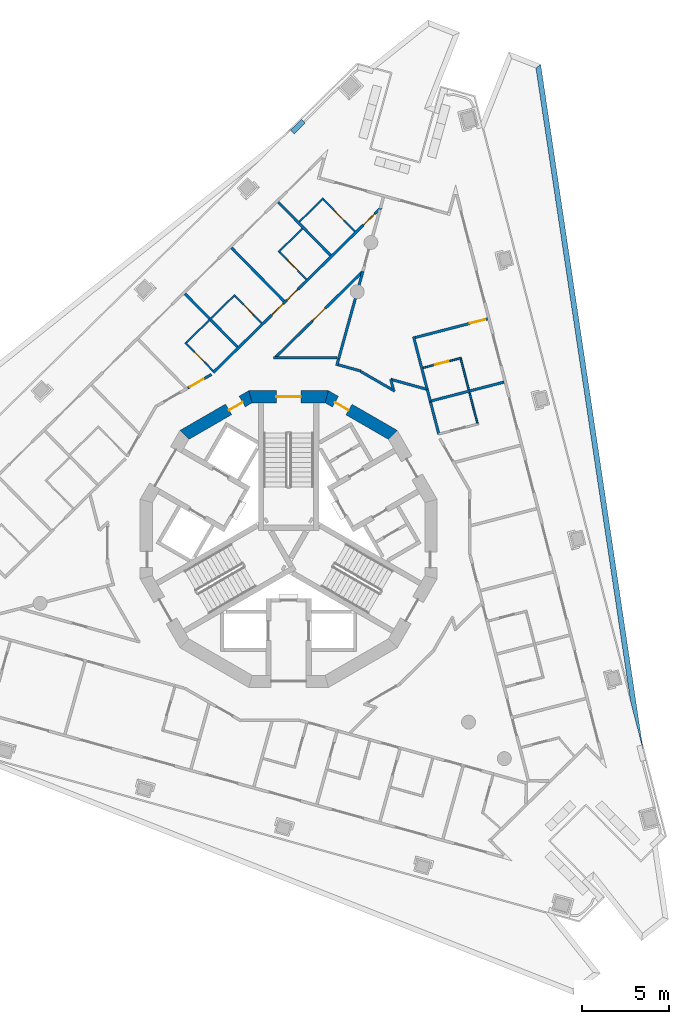
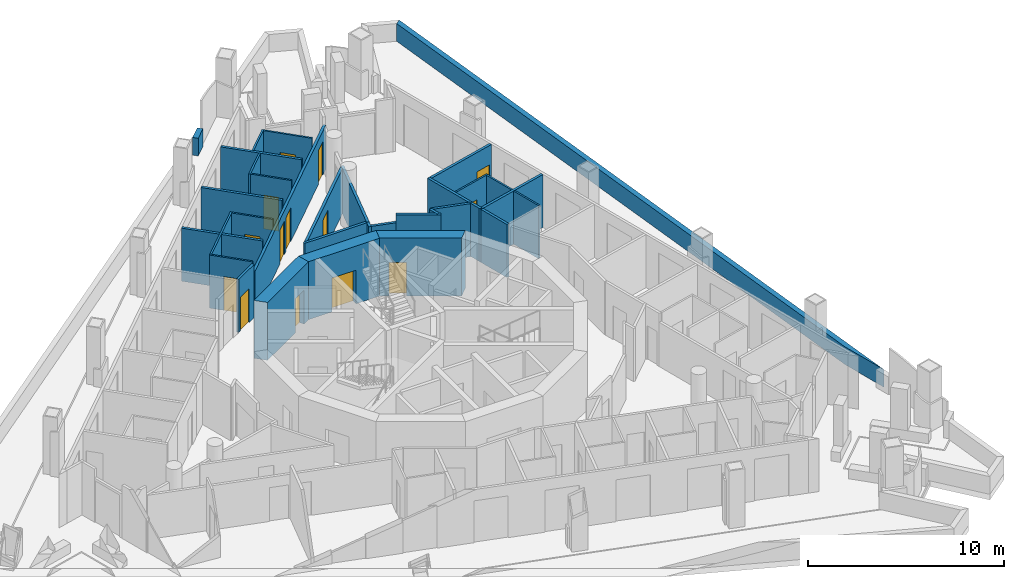
# One storey, part 8 of 14: 33 walls, 14 doors, 14 openings.
"""IFC4 building model written with IfcOpenShell, lengths in metres."""

from ifc_helpers import new_model, si_unit, direction, frame, frame_2d, origin, place, context, subcontext, project, spatial, polyline, rectangle, outline, extrude, material, layer, layer_set, type_object, element, fill, save


model = new_model("IFC4")

# Units and contexts
model_context = context("Model", 3, precision=1e-05, world=origin(), true_north=direction((0.0, 1.0)))
body_context = subcontext(model_context, "Body", "Model", "MODEL_VIEW")
ifc_project = project(units=[si_unit("LENGTHUNIT", "METRE"), si_unit("AREAUNIT", "SQUARE_METRE"), si_unit("VOLUMEUNIT", "CUBIC_METRE"), si_unit("PLANEANGLEUNIT", "RADIAN"), si_unit("MASSUNIT", "GRAM", prefix="KILO")], contexts=[model_context])

# Site, building, storey
site_placement = place(None, origin())
site = spatial("IfcSite", under=ifc_project, at=site_placement, CompositionType="ELEMENT")
building_placement = place(site_placement, origin())
building = spatial("IfcBuilding", under=site, at=building_placement, Name="Trine Commons Tower", CompositionType="ELEMENT")
storey_placement = place(building_placement, frame((0.0, 0.0, 234.89990234375)))
storey = spatial("IfcBuildingStorey", under=building, at=storey_placement, Name="L61", CompositionType="ELEMENT", Elevation=234.89990234375)

# Wall, opening, door
ifc_material_1 = material(Name="Concrete C50/60", Category="concrete")
ifc_layer_1 = layer(ifc_material_1, 0.699951171875)
ifc_layer_set_1 = layer_set([ifc_layer_1], Name="Concrete C50/60")
wall_type_1 = type_object("IfcWallType", Name="RC shear wall 700 mm, C50/60", PredefinedType="SHEAR", material=ifc_layer_set_1)
wall_1_placement = place(storey_placement, frame((86.047607421875, 68.41943359375, 0.0), z_axis=(0.0, 0.0, 1.0), x_axis=(-0.866034756103, 0.499983800959, 0.0)))
wall_1 = element("IfcWall", 1, at=wall_1_placement, inside=storey, type_object=wall_type_1, Name="Core wall CWG-03 L61", PredefinedType="SHEAR", context=body_context, shape_type="SweptSolid", body=[
    extrude(outline(polyline([(0.0, -0.35009765625), (4.55517578125, -0.35009765625), (4.36767578125, 0.35009765625), (0.1875, 0.35009765625), (0.0, -0.35009765625)])), origin(), (0.0, 0.0, 1.0), 3.60009765625),
])
opening_1_placement = place(wall_1_placement, frame((2.990966796875, 0.0, 0.0)))
opening_1 = element("IfcOpeningElement", 2, at=opening_1_placement, cuts=wall_1, Name="Opening K15.14", PredefinedType="OPENING", context=body_context, shape_type="SweptSolid", body=[
    extrude(rectangle(XDim=0.89990234375, YDim=2.10009765625, at=frame_2d((0.449951171875, 1.050048828125))), frame((0.0, 0.35986328125, 0.0), z_axis=(0.0, -1.0, 0.0), x_axis=(1.0, 0.0, 0.0)), (0.0, 0.0, 1.0), 0.719970703125),
])
ifc_material_2 = material(Name="Steel door leaf, fire-rated", Category="steel")
door_type_1 = type_object("IfcDoorType", Name="Core room door, single leaf 900 x 2100, FD30S", OperationType="SINGLE_SWING_LEFT", PredefinedType="DOOR", material=ifc_material_2)
door_1_placement = place(opening_1_placement, origin())
door_1 = element("IfcDoor", 3, at=door_1_placement, inside=storey, type_object=door_type_1, Name="Door to Core WC L61", OperationType="SINGLE_SWING_RIGHT", OverallHeight=2.10009765625, OverallWidth=0.89990234375, PredefinedType="DOOR", context=body_context, shape_type="SweptSolid", body=[
    extrude(rectangle(XDim=0.89990234375, YDim=2.10009765625, at=frame_2d((0.449951171875, 1.050048828125))), frame((0.0, 0.0751953125, 0.0), z_axis=(0.0, -1.0, 0.0), x_axis=(1.0, 0.0, 0.0)), (0.0, 0.0, 1.0), 0.050048828125),
])
fill(opening_1, door_1)

wall_2_placement = place(storey_placement, frame((82.277587890625, 70.650146484375, 0.0), z_axis=(0.0, 0.0, 1.0), x_axis=(-1.0, 0.0, 0.0)))
wall_2 = element("IfcWall", 4, at=wall_2_placement, inside=storey, type_object=wall_type_1, Name="Core wall CWG-04 L61", PredefinedType="SHEAR", context=body_context, shape_type="SweptSolid", body=[
    extrude(outline(polyline([(0.0, -0.35009765625), (4.55517578125, -0.35009765625), (4.36767578125, 0.35009765625), (0.1875, 0.35009765625), (0.0, -0.35009765625)])), origin(), (0.0, 0.0, 1.0), 3.60009765625),
])
opening_2_placement = place(wall_2_placement, frame((1.57763671875, 0.0, 0.0)))
opening_2 = element("IfcOpeningElement", 5, at=opening_2_placement, cuts=wall_2, Name="Opening K15.01", PredefinedType="OPENING", context=body_context, shape_type="SweptSolid", body=[
    extrude(rectangle(XDim=1.39990234375, YDim=2.10009765625, at=frame_2d((0.699951171875, 1.050048828125))), frame((0.0, 0.35986328125, 0.0), z_axis=(0.0, -1.0, 0.0), x_axis=(1.0, 0.0, 0.0)), (0.0, 0.0, 1.0), 0.719970703125),
])
ifc_material_3 = material(Name="Steel door leaves, fire-rated", Category="steel")
door_type_2 = type_object("IfcDoorType", Name="Stair door, double leaf 1400 x 2100, FD90", OperationType="DOUBLE_DOOR_SINGLE_SWING", PredefinedType="DOOR", material=ifc_material_3)
door_2_placement = place(opening_2_placement, origin())
door_2 = element("IfcDoor", 6, at=door_2_placement, inside=storey, type_object=door_type_2, Name="Stair door to Exit stair ST1C L61", OperationType="DOUBLE_DOOR_SINGLE_SWING", OverallHeight=2.10009765625, OverallWidth=1.39990234375, PredefinedType="DOOR", context=body_context, shape_type="SweptSolid", body=[
    extrude(rectangle(XDim=1.39990234375, YDim=2.10009765625, at=frame_2d((0.699951171875, 1.050048828125))), frame((0.0, 0.02490234375, 0.0), z_axis=(0.0, -1.0, 0.0), x_axis=(1.0, 0.0, 0.0)), (0.0, 0.0, 1.0), 0.050048828125),
])
fill(opening_2, door_2)

wall_3_placement = place(storey_placement, frame((77.8974609375, 70.697021484375, 0.0), z_axis=(0.0, 0.0, 1.0), x_axis=(-0.866034756103, -0.499983800959, 0.0)))
wall_3 = element("IfcWall", 7, at=wall_3_placement, inside=storey, type_object=wall_type_1, Name="Core wall CWG-05 L61", PredefinedType="SHEAR", context=body_context, shape_type="SweptSolid", body=[
    extrude(outline(polyline([(0.0, -0.35009765625), (4.55517578125, -0.35009765625), (4.36767578125, 0.35009765625), (0.1875, 0.35009765625), (0.0, -0.35009765625)])), origin(), (0.0, 0.0, 1.0), 3.60009765625),
])
opening_3_placement = place(wall_3_placement, frame((0.641845703125, 0.0, 0.0)))
opening_3 = element("IfcOpeningElement", 8, at=opening_3_placement, cuts=wall_3, Name="Opening K15.15", PredefinedType="OPENING", context=body_context, shape_type="SweptSolid", body=[
    extrude(rectangle(XDim=0.89990234375, YDim=2.10009765625, at=frame_2d((0.449951171875, 1.050048828125))), frame((0.0, 0.35986328125, 0.0), z_axis=(0.0, -1.0, 0.0), x_axis=(1.0, 0.0, 0.0)), (0.0, 0.0, 1.0), 0.719970703125),
])
door_3_placement = place(opening_3_placement, origin())
door_3 = element("IfcDoor", 9, at=door_3_placement, inside=storey, type_object=door_type_1, Name="Door to Accessible WC L61", OperationType="SINGLE_SWING_LEFT", OverallHeight=2.10009765625, OverallWidth=0.89990234375, PredefinedType="DOOR", context=body_context, shape_type="SweptSolid", body=[
    extrude(rectangle(XDim=0.89990234375, YDim=2.10009765625, at=frame_2d((0.449951171875, 1.050048828125))), frame((0.0, 0.0751953125, 0.0), z_axis=(0.0, -1.0, 0.0), x_axis=(1.0, 0.0, 0.0)), (0.0, 0.0, 1.0), 0.050048828125),
])
fill(opening_3, door_3)

# Walls
ifc_material_4 = material(Name="Limestone, honed", Category="masonry")
ifc_layer_2 = layer(ifc_material_4, 0.300048828125)
ifc_layer_set_2 = layer_set([ifc_layer_2], Name="Limestone, honed")
wall_type_2 = type_object("IfcWallType", Name="Stone parapet 300", PredefinedType="PARAPET", material=ifc_layer_set_2)
wall_4_placement = place(storey_placement, origin())
element("IfcWall", 10, at=wall_4_placement, inside=storey, type_object=wall_type_2, Name="Sliver roof parapet extension L60 2.X1", PredefinedType="PARAPET", context=body_context, shape_type="SweptSolid", body=[
    extrude(outline(polyline([(80.09912109375, 85.909912109375), (80.309326171875, 85.69580078125), (80.951171875, 86.32666015625), (80.740966796875, 86.540771484375), (80.198486328125, 86.0078125), (80.09912109375, 85.909912109375)])), origin(), (0.0, 0.0, 1.0), 1.10009765625),
])
wall_5_placement = place(storey_placement, origin())
element("IfcWall", 11, at=wall_5_placement, inside=storey, type_object=wall_type_2, Name="Sliver roof parapet L60 5.1", PredefinedType="PARAPET", context=body_context, shape_type="SweptSolid", body=[
    extrude(outline(polyline([(100.299072265625, 50.4189453125), (94.430908203125, 89.683349609375), (94.159912109375, 89.4677734375), (99.58056640625, 53.197509765625), (100.299072265625, 50.4189453125)])), origin(), (0.0, 0.0, 1.0), 1.10009765625),
])
ifc_material_5 = material(Name="Gypsum plasterboard on steel stud", Category="steel")
ifc_layer_3 = layer(ifc_material_5, 0.14990234375)
ifc_layer_set_3 = layer_set([ifc_layer_3], Name="Gypsum plasterboard on steel stud")
wall_type_3 = type_object("IfcWallType", Name="Unit and corridor wall 150 mm, EI 60", PredefinedType="PARTITIONING", material=ifc_layer_set_3)
wall_6_placement = place(storey_placement, frame((74.06005859375, 76.554443359375, 0.0), z_axis=(0.0, 0.0, 1.0), x_axis=(0.70095501421, -0.713205487958, 0.0)))
element("IfcWall", 12, at=wall_6_placement, inside=storey, type_object=wall_type_3, Name="Partition 036", PredefinedType="PARTITIONING", context=body_context, shape_type="SweptSolid", body=[
    extrude(rectangle(XDim=4.28466796875, YDim=0.14990234375, at=frame_2d((2.142333984375, 0.0))), origin(), (0.0, 0.0, 1.0), 3.300048828125),
])

# Wall, opening, door
wall_7_placement = place(storey_placement, frame((74.22412109375, 71.1455078125, 0.0), z_axis=(0.0, 0.0, 1.0), x_axis=(0.866052944554, 0.499952294954, 0.0)))
wall_7 = element("IfcWall", 13, at=wall_7_placement, inside=storey, type_object=wall_type_3, Name="Partition 040", PredefinedType="PARTITIONING", context=body_context, shape_type="SweptSolid", body=[
    extrude(rectangle(XDim=1.563232421875, YDim=0.14990234375, at=frame_2d((0.78173828125, 0.0))), origin(), (0.0, 0.0, 1.0), 3.300048828125),
])
opening_4_placement = place(wall_7_placement, frame((0.14990234375, 0.0, 0.0)))
opening_4 = element("IfcOpeningElement", 14, at=opening_4_placement, cuts=wall_7, Name="Opening D-7A08", PredefinedType="OPENING", context=body_context, shape_type="SweptSolid", body=[
    extrude(rectangle(XDim=0.89990234375, YDim=2.10009765625, at=frame_2d((0.449951171875, 1.050048828125))), frame((0.0, 0.0849609375, 0.0), z_axis=(0.0, -1.0, 0.0), x_axis=(1.0, 0.0, 0.0)), (0.0, 0.0, 1.0), 0.169921875),
])
ifc_material_6 = material(Name="Timber fire door set", Category="wood")
door_type_3 = type_object("IfcDoorType", Name="Bedroom door 900 x 2100, FD30S", OperationType="NOTDEFINED", PredefinedType="DOOR", material=ifc_material_6)
door_4_placement = place(opening_4_placement, origin())
door_4 = element("IfcDoor", 15, at=door_4_placement, inside=storey, type_object=door_type_3, Name="Door D-7A08", OperationType="SINGLE_SWING_LEFT", OverallHeight=2.10009765625, OverallWidth=0.89990234375, PredefinedType="DOOR", context=body_context, shape_type="SweptSolid", body=[
    extrude(rectangle(XDim=0.89990234375, YDim=2.10009765625, at=frame_2d((0.449951171875, 1.050048828125))), frame((0.0, 0.02490234375, 0.0), z_axis=(0.0, -1.0, 0.0), x_axis=(1.0, 0.0, 0.0)), (0.0, 0.0, 1.0), 0.050048828125),
])
fill(opening_4, door_4)

# Wall, openings, doors
wall_8_placement = place(storey_placement, frame((75.687255859375, 72.0400390625, 0.0), z_axis=(0.0, 0.0, 1.0), x_axis=(0.713216712947, 0.700943592861, 0.0)))
wall_8 = element("IfcWall", 16, at=wall_8_placement, inside=storey, type_object=wall_type_3, Name="Partition 043", PredefinedType="PARTITIONING", context=body_context, shape_type="SweptSolid", body=[
    extrude(rectangle(XDim=13.487060546875, YDim=0.14990234375, at=frame_2d((6.74365234375, 0.0))), origin(), (0.0, 0.0, 1.0), 2.75),
])
opening_5_placement = place(wall_8_placement, frame((4.69677734375, 0.0, 0.0)))
opening_5 = element("IfcOpeningElement", 17, at=opening_5_placement, cuts=wall_8, Name="Opening D-7A09", PredefinedType="OPENING", context=body_context, shape_type="SweptSolid", body=[
    extrude(rectangle(XDim=0.89990234375, YDim=2.10009765625, at=frame_2d((0.449951171875, 1.050048828125))), frame((0.0, 0.0849609375, 0.0), z_axis=(0.0, -1.0, 0.0), x_axis=(1.0, 0.0, 0.0)), (0.0, 0.0, 1.0), 0.169921875),
])
opening_6_placement = place(wall_8_placement, frame((5.896728515625, 0.0, 0.0)))
opening_6 = element("IfcOpeningElement", 18, at=opening_6_placement, cuts=wall_8, Name="Opening D-7A10", PredefinedType="OPENING", context=body_context, shape_type="SweptSolid", body=[
    extrude(rectangle(XDim=0.89990234375, YDim=2.10009765625, at=frame_2d((0.449951171875, 1.050048828125))), frame((0.0, 0.0849609375, 0.0), z_axis=(0.0, -1.0, 0.0), x_axis=(1.0, 0.0, 0.0)), (0.0, 0.0, 1.0), 0.169921875),
])
opening_7_placement = place(wall_8_placement, frame((12.052734375, 0.0, 0.0)))
opening_7 = element("IfcOpeningElement", 19, at=opening_7_placement, cuts=wall_8, Name="Opening D-7A11", PredefinedType="OPENING", context=body_context, shape_type="SweptSolid", body=[
    extrude(rectangle(XDim=0.89990234375, YDim=2.10009765625, at=frame_2d((0.449951171875, 1.050048828125))), frame((0.0, 0.0849609375, 0.0), z_axis=(0.0, -1.0, 0.0), x_axis=(1.0, 0.0, 0.0)), (0.0, 0.0, 1.0), 0.169921875),
])
door_5_placement = place(opening_5_placement, origin())
door_5 = element("IfcDoor", 20, at=door_5_placement, inside=storey, type_object=door_type_3, Name="Door D-7A09", OperationType="SINGLE_SWING_LEFT", OverallHeight=2.10009765625, OverallWidth=0.89990234375, PredefinedType="DOOR", context=body_context, shape_type="SweptSolid", body=[
    extrude(rectangle(XDim=0.89990234375, YDim=2.10009765625, at=frame_2d((0.449951171875, 1.050048828125))), frame((0.0, 0.02490234375, 0.0), z_axis=(0.0, -1.0, 0.0), x_axis=(1.0, 0.0, 0.0)), (0.0, 0.0, 1.0), 0.050048828125),
])
fill(opening_5, door_5)
door_6_placement = place(opening_6_placement, origin())
door_6 = element("IfcDoor", 21, at=door_6_placement, inside=storey, type_object=door_type_3, Name="Door D-7A10", OperationType="SINGLE_SWING_LEFT", OverallHeight=2.10009765625, OverallWidth=0.89990234375, PredefinedType="DOOR", context=body_context, shape_type="SweptSolid", body=[
    extrude(rectangle(XDim=0.89990234375, YDim=2.10009765625, at=frame_2d((0.449951171875, 1.050048828125))), frame((0.0, 0.02490234375, 0.0), z_axis=(0.0, -1.0, 0.0), x_axis=(1.0, 0.0, 0.0)), (0.0, 0.0, 1.0), 0.050048828125),
])
fill(opening_6, door_6)
door_7_placement = place(opening_7_placement, origin())
door_7 = element("IfcDoor", 22, at=door_7_placement, inside=storey, type_object=door_type_3, Name="Door D-7A11", OperationType="SINGLE_SWING_RIGHT", OverallHeight=2.10009765625, OverallWidth=0.89990234375, PredefinedType="DOOR", context=body_context, shape_type="SweptSolid", body=[
    extrude(rectangle(XDim=0.89990234375, YDim=2.10009765625, at=frame_2d((0.449951171875, 1.050048828125))), frame((0.0, 0.02490234375, 0.0), z_axis=(0.0, -1.0, 0.0), x_axis=(1.0, 0.0, 0.0)), (0.0, 0.0, 1.0), 0.050048828125),
])
fill(opening_7, door_7)

# Walls
wall_9_placement = place(storey_placement, frame((76.72998046875, 79.177490234375, 0.0), z_axis=(0.0, 0.0, 1.0), x_axis=(0.70095501421, -0.713205487958, 0.0)))
element("IfcWall", 23, at=wall_9_placement, inside=storey, type_object=wall_type_3, Name="Partition 044", PredefinedType="PARTITIONING", context=body_context, shape_type="SweptSolid", body=[
    extrude(rectangle(XDim=4.28466796875, YDim=0.14990234375, at=frame_2d((2.142333984375, 0.0))), origin(), (0.0, 0.0, 1.0), 3.300048828125),
])
wall_10_placement = place(storey_placement, frame((79.133056640625, 72.875, 0.0), z_axis=(0.0, 0.0, 1.0), x_axis=(1.0, 0.0, 0.0)))
element("IfcWall", 24, at=wall_10_placement, inside=storey, type_object=wall_type_3, Name="Partition 049", PredefinedType="PARTITIONING", context=body_context, shape_type="SweptSolid", body=[
    extrude(rectangle(XDim=3.64697265625, YDim=0.14990234375, at=frame_2d((1.823486328125, 0.0))), origin(), (0.0, 0.0, 1.0), 2.800048828125),
])

# Wall, opening, door
wall_11_placement = place(storey_placement, frame((79.265380859375, 72.927490234375, 0.0), z_axis=(0.0, 0.0, 1.0), x_axis=(0.713171352484, 0.700989744572, 0.0)))
wall_11 = element("IfcWall", 25, at=wall_11_placement, inside=storey, type_object=wall_type_3, Name="Partition 050", PredefinedType="PARTITIONING", context=body_context, shape_type="SweptSolid", body=[
    extrude(rectangle(XDim=6.914306640625, YDim=0.14990234375, at=frame_2d((3.45703125, 0.0))), origin(), (0.0, 0.0, 1.0), 2.800048828125),
])
opening_8_placement = place(wall_11_placement, frame((2.95703125, 0.0, 0.0)))
opening_8 = element("IfcOpeningElement", 26, at=opening_8_placement, cuts=wall_11, Name="Opening D-7A27", PredefinedType="OPENING", context=body_context, shape_type="SweptSolid", body=[
    extrude(rectangle(XDim=1.0, YDim=2.10009765625, at=frame_2d((0.5, 1.050048828125))), frame((0.0, 0.0849609375, 0.0), z_axis=(0.0, -1.0, 0.0), x_axis=(1.0, 0.0, 0.0)), (0.0, 0.0, 1.0), 0.169921875),
])
ifc_material_7 = material(Name="Painted timber", Category="wood")
door_type_4 = type_object("IfcDoorType", Name="Toilet door 1000 x 2100, NOT RATED", OperationType="NOTDEFINED", PredefinedType="DOOR", material=ifc_material_7)
door_8_placement = place(opening_8_placement, frame((1.0, 0.0, 0.0), z_axis=(0.0, 0.0, 1.0), x_axis=(-1.0, 0.0, 0.0)))
door_8 = element("IfcDoor", 27, at=door_8_placement, inside=storey, type_object=door_type_4, Name="Door D-7A27", OperationType="SINGLE_SWING_RIGHT", OverallHeight=2.10009765625, OverallWidth=1.0, PredefinedType="DOOR", context=body_context, shape_type="SweptSolid", body=[
    extrude(rectangle(XDim=1.0, YDim=2.10009765625, at=frame_2d((0.5, 1.050048828125))), frame((0.0, 0.02490234375, 0.0), z_axis=(0.0, -1.0, 0.0), x_axis=(1.0, 0.0, 0.0)), (0.0, 0.0, 1.0), 0.050048828125),
])
fill(opening_8, door_8)

# Walls
wall_12_placement = place(storey_placement, frame((79.39892578125, 81.801513671875, 0.0), z_axis=(0.0, 0.0, 1.0), x_axis=(0.70095501421, -0.713205487958, 0.0)))
element("IfcWall", 28, at=wall_12_placement, inside=storey, type_object=wall_type_3, Name="Partition 051", PredefinedType="PARTITIONING", context=body_context, shape_type="SweptSolid", body=[
    extrude(rectangle(XDim=4.28466796875, YDim=0.14990234375, at=frame_2d((2.142333984375, 0.0))), origin(), (0.0, 0.0, 1.0), 3.300048828125),
])
wall_13_placement = place(storey_placement, frame((82.7529296875, 72.42578125, 0.0), z_axis=(0.0, 0.0, 1.0), x_axis=(0.266887464326, 0.96372770085, 0.0)))
element("IfcWall", 29, at=wall_13_placement, inside=storey, type_object=wall_type_3, Name="Partition 061", PredefinedType="PARTITIONING", context=body_context, shape_type="SweptSolid", body=[
    extrude(rectangle(XDim=0.416259765625, YDim=0.14990234375, at=frame_2d((0.2080078125, 0.0))), origin(), (0.0, 0.0, 1.0), 2.800048828125),
])
wall_14_placement = place(storey_placement, frame((82.84521484375, 72.477783203125, 0.0), z_axis=(0.0, 0.0, 1.0), x_axis=(0.963623826389, -0.267262270467, 0.0)))
element("IfcWall", 30, at=wall_14_placement, inside=storey, type_object=wall_type_3, Name="Partition 062", PredefinedType="PARTITIONING", context=body_context, shape_type="SweptSolid", body=[
    extrude(rectangle(XDim=1.320068359375, YDim=0.14990234375, at=frame_2d((0.66015625, 0.0))), origin(), (0.0, 0.0, 1.0), 2.800048828125),
])
wall_15_placement = place(storey_placement, frame((82.863037109375, 72.822998046875, 0.0), z_axis=(0.0, 0.0, 1.0), x_axis=(0.267297315726, 0.963614105857, 0.0)))
element("IfcWall", 31, at=wall_15_placement, inside=storey, type_object=wall_type_3, Name="Partition 064", PredefinedType="PARTITIONING", context=body_context, shape_type="SweptSolid", body=[
    extrude(rectangle(XDim=5.196044921875, YDim=0.14990234375, at=frame_2d((2.59814453125, 0.0))), origin(), (0.0, 0.0, 1.0), 2.800048828125),
])
wall_16_placement = place(storey_placement, frame((84.10986328125, 72.107421875, 0.0), z_axis=(0.0, 0.0, 1.0), x_axis=(0.865965412825, -0.500103892997, 0.0)))
element("IfcWall", 32, at=wall_16_placement, inside=storey, type_object=wall_type_3, Name="Partition 066", PredefinedType="PARTITIONING", context=body_context, shape_type="SweptSolid", body=[
    extrude(rectangle(XDim=2.271484375, YDim=0.14990234375, at=frame_2d((1.1357421875, 0.0))), origin(), (0.0, 0.0, 1.0), 3.300048828125),
])
wall_17_placement = place(storey_placement, frame((85.847900390625, 71.64208984375, 0.0), z_axis=(0.0, 0.0, 1.0), x_axis=(0.250859734684, -0.968023446779, 0.0)))
element("IfcWall", 33, at=wall_17_placement, inside=storey, type_object=wall_type_3, Name="Partition 076", PredefinedType="PARTITIONING", context=body_context, shape_type="SweptSolid", body=[
    extrude(rectangle(XDim=0.5791015625, YDim=0.14990234375, at=frame_2d((0.28955078125, 0.0))), origin(), (0.0, 0.0, 1.0), 3.300048828125),
])
wall_18_placement = place(storey_placement, frame((85.85205078125, 71.64599609375, 0.0), z_axis=(0.0, 0.0, 1.0), x_axis=(0.963638385721, -0.267209770713, 0.0)))
element("IfcWall", 34, at=wall_18_placement, inside=storey, type_object=wall_type_3, Name="Partition 077", PredefinedType="PARTITIONING", context=body_context, shape_type="SweptSolid", body=[
    extrude(rectangle(XDim=2.088623046875, YDim=0.14990234375, at=frame_2d((1.04443359375, 0.0))), origin(), (0.0, 0.0, 1.0), 3.300048828125),
])
wall_19_placement = place(storey_placement, frame((87.1533203125, 74.092529296875, 0.0), z_axis=(0.0, 0.0, 1.0), x_axis=(0.250373987534, -0.968149196336, 0.0)))
element("IfcWall", 35, at=wall_19_placement, inside=storey, type_object=wall_type_3, Name="Partition 080", PredefinedType="PARTITIONING", context=body_context, shape_type="SweptSolid", body=[
    extrude(rectangle(XDim=3.126220703125, YDim=0.14990234375, at=frame_2d((1.56298828125, 0.0))), origin(), (0.0, 0.0, 1.0), 3.300048828125),
])

# Wall, opening, door
wall_20_placement = place(storey_placement, frame((87.24462890625, 74.038818359375, 0.0), z_axis=(0.0, 0.0, 1.0), x_axis=(0.968129527106, 0.250450032434, 0.0)))
wall_20 = element("IfcWall", 36, at=wall_20_placement, inside=storey, type_object=wall_type_3, Name="Partition 081", PredefinedType="PARTITIONING", context=body_context, shape_type="SweptSolid", body=[
    extrude(rectangle(XDim=4.28515625, YDim=0.14990234375, at=frame_2d((2.142578125, 0.0))), origin(), (0.0, 0.0, 1.0), 3.300048828125),
])
opening_9_placement = place(wall_20_placement, frame((3.235107421875, 0.0, 0.0)))
opening_9 = element("IfcOpeningElement", 37, at=opening_9_placement, cuts=wall_20, Name="Opening D-7A12", PredefinedType="OPENING", context=body_context, shape_type="SweptSolid", body=[
    extrude(rectangle(XDim=0.89990234375, YDim=2.10009765625, at=frame_2d((0.449951171875, 1.050048828125))), frame((0.0, 0.0849609375, 0.0), z_axis=(0.0, -1.0, 0.0), x_axis=(1.0, 0.0, 0.0)), (0.0, 0.0, 1.0), 0.169921875),
])
door_9_placement = place(opening_9_placement, frame((0.89990234375, 0.0, 0.0), z_axis=(0.0, 0.0, 1.0), x_axis=(-1.0, 0.0, 0.0)))
door_9 = element("IfcDoor", 38, at=door_9_placement, inside=storey, type_object=door_type_3, Name="Door D-7A12", OperationType="SINGLE_SWING_LEFT", OverallHeight=2.10009765625, OverallWidth=0.89990234375, PredefinedType="DOOR", context=body_context, shape_type="SweptSolid", body=[
    extrude(rectangle(XDim=0.89990234375, YDim=2.10009765625, at=frame_2d((0.449951171875, 1.050048828125))), frame((0.0, 0.02490234375, 0.0), z_axis=(0.0, -1.0, 0.0), x_axis=(1.0, 0.0, 0.0)), (0.0, 0.0, 1.0), 0.050048828125),
])
fill(opening_9, door_9)

# Walls
wall_21_placement = place(storey_placement, frame((87.93798828125, 71.06689453125, 0.0), z_axis=(0.0, 0.0, 1.0), x_axis=(0.250122032582, -0.968214319672, 0.0)))
element("IfcWall", 39, at=wall_21_placement, inside=storey, type_object=wall_type_3, Name="Partition 084", PredefinedType="PARTITIONING", context=body_context, shape_type="SweptSolid", body=[
    extrude(rectangle(XDim=0.696044921875, YDim=0.14990234375, at=frame_2d((0.34814453125, 0.0))), origin(), (0.0, 0.0, 1.0), 3.300048828125),
])
wall_22_placement = place(storey_placement, frame((88.036376953125, 70.377197265625, 0.0), z_axis=(0.0, 0.0, 1.0), x_axis=(0.968128504483, 0.25045398541, 0.0)))
element("IfcWall", 40, at=wall_22_placement, inside=storey, type_object=wall_type_3, Name="Partition 085", PredefinedType="PARTITIONING", context=body_context, shape_type="SweptSolid", body=[
    extrude(rectangle(XDim=4.435302734375, YDim=0.14990234375, at=frame_2d((2.2177734375, 0.0))), origin(), (0.0, 0.0, 1.0), 3.300048828125),
])
wall_23_placement = place(storey_placement, frame((88.12890625, 70.328369140625, 0.0), z_axis=(0.0, 0.0, 1.0), x_axis=(0.250183804331, -0.968198359868, 0.0)))
element("IfcWall", 41, at=wall_23_placement, inside=storey, type_object=wall_type_3, Name="Partition 086", PredefinedType="PARTITIONING", context=body_context, shape_type="SweptSolid", body=[
    extrude(rectangle(XDim=1.88330078125, YDim=0.14990234375, at=frame_2d((0.941650390625, 0.0))), origin(), (0.0, 0.0, 1.0), 3.300048828125),
])

# Wall, opening, door
ifc_layer_4 = layer(ifc_material_5, 0.10009765625)
ifc_layer_set_4 = layer_set([ifc_layer_4], Name="Gypsum plasterboard on steel stud")
wall_type_4 = type_object("IfcWallType", Name="Unit partition 100 mm, no rating", PredefinedType="PARTITIONING", material=ifc_layer_set_4)
wall_24_placement = place(storey_placement, frame((74.077880859375, 73.753662109375, 0.0), z_axis=(0.0, 0.0, 1.0), x_axis=(0.701016248593, -0.713145300207, 0.0)))
wall_24 = element("IfcWall", 42, at=wall_24_placement, inside=storey, type_object=wall_type_4, Name="Partition 038", PredefinedType="PARTITIONING", context=body_context, shape_type="SweptSolid", body=[
    extrude(rectangle(XDim=2.2744140625, YDim=0.10009765625, at=frame_2d((1.13720703125, 0.0))), origin(), (0.0, 0.0, 1.0), 3.300048828125),
])
opening_10_placement = place(wall_24_placement, frame((0.76220703125, 0.0, 0.0)))
opening_10 = element("IfcOpeningElement", 43, at=opening_10_placement, cuts=wall_24, Name="Opening D-7A31", PredefinedType="OPENING", context=body_context, shape_type="SweptSolid", body=[
    extrude(rectangle(XDim=0.800048828125, YDim=2.10009765625, at=frame_2d((0.39990234375, 1.050048828125))), frame((0.0, 0.06005859375, 0.0), z_axis=(0.0, -1.0, 0.0), x_axis=(1.0, 0.0, 0.0)), (0.0, 0.0, 1.0), 0.1201171875),
])
door_type_5 = type_object("IfcDoorType", Name="Internal door 800 x 2100, NOT RATED", OperationType="NOTDEFINED", PredefinedType="DOOR", material=ifc_material_7)
door_10_placement = place(opening_10_placement, frame((0.800048828125, 0.0, 0.0), z_axis=(0.0, 0.0, 1.0), x_axis=(-1.0, 0.0, 0.0)))
door_10 = element("IfcDoor", 44, at=door_10_placement, inside=storey, type_object=door_type_5, Name="Door D-7A31", OperationType="SINGLE_SWING_LEFT", OverallHeight=2.10009765625, OverallWidth=0.800048828125, PredefinedType="DOOR", context=body_context, shape_type="SweptSolid", body=[
    extrude(rectangle(XDim=0.800048828125, YDim=2.10009765625, at=frame_2d((0.39990234375, 1.050048828125))), frame((0.0, 0.02490234375, 0.0), z_axis=(0.0, -1.0, 0.0), x_axis=(1.0, 0.0, 0.0)), (0.0, 0.0, 1.0), 0.050048828125),
])
fill(opening_10, door_10)

# Wall
wall_25_placement = place(storey_placement, frame((74.148681640625, 73.7529296875, 0.0), z_axis=(0.0, 0.0, 1.0), x_axis=(0.713214004819, 0.700946348396, 0.0)))
element("IfcWall", 45, at=wall_25_placement, inside=storey, type_object=wall_type_4, Name="Partition 039", PredefinedType="PARTITIONING", context=body_context, shape_type="SweptSolid", body=[
    extrude(rectangle(XDim=3.900634765625, YDim=0.10009765625, at=frame_2d((1.9501953125, 0.0))), origin(), (0.0, 0.0, 1.0), 3.300048828125),
])

# Wall, opening, door
wall_26_placement = place(storey_placement, frame((76.929931640625, 76.416259765625, 0.0), z_axis=(0.0, 0.0, 1.0), x_axis=(0.700793702446, -0.713363993073, 0.0)))
wall_26 = element("IfcWall", 46, at=wall_26_placement, inside=storey, type_object=wall_type_4, Name="Partition 045", PredefinedType="PARTITIONING", context=body_context, shape_type="SweptSolid", body=[
    extrude(rectangle(XDim=2.17529296875, YDim=0.10009765625, at=frame_2d((1.087646484375, 0.0))), origin(), (0.0, 0.0, 1.0), 3.300048828125),
])
opening_11_placement = place(wall_26_placement, frame((0.6875, 0.0, 0.0)))
opening_11 = element("IfcOpeningElement", 47, at=opening_11_placement, cuts=wall_26, Name="Opening D-7A32", PredefinedType="OPENING", context=body_context, shape_type="SweptSolid", body=[
    extrude(rectangle(XDim=0.800048828125, YDim=2.10009765625, at=frame_2d((0.39990234375, 1.050048828125))), frame((0.0, 0.06005859375, 0.0), z_axis=(0.0, -1.0, 0.0), x_axis=(1.0, 0.0, 0.0)), (0.0, 0.0, 1.0), 0.1201171875),
])
door_11_placement = place(opening_11_placement, origin())
door_11 = element("IfcDoor", 48, at=door_11_placement, inside=storey, type_object=door_type_5, Name="Door D-7A32", OperationType="SINGLE_SWING_LEFT", OverallHeight=2.10009765625, OverallWidth=0.800048828125, PredefinedType="DOOR", context=body_context, shape_type="SweptSolid", body=[
    extrude(rectangle(XDim=0.800048828125, YDim=2.10009765625, at=frame_2d((0.39990234375, 1.050048828125))), frame((0.0, 0.02490234375, 0.0), z_axis=(0.0, -1.0, 0.0), x_axis=(1.0, 0.0, 0.0)), (0.0, 0.0, 1.0), 0.050048828125),
])
fill(opening_11, door_11)

# Wall
wall_27_placement = place(storey_placement, frame((79.416259765625, 78.929931640625, 0.0), z_axis=(0.0, 0.0, 1.0), x_axis=(0.713293055377, 0.700865905257, 0.0)))
element("IfcWall", 49, at=wall_27_placement, inside=storey, type_object=wall_type_4, Name="Partition 052", PredefinedType="PARTITIONING", context=body_context, shape_type="SweptSolid", body=[
    extrude(rectangle(XDim=1.92529296875, YDim=0.10009765625, at=frame_2d((0.962646484375, 0.0))), origin(), (0.0, 0.0, 1.0), 3.300048828125),
])

# Wall, opening, door
wall_28_placement = place(storey_placement, frame((79.487060546875, 78.92919921875, 0.0), z_axis=(0.0, 0.0, 1.0), x_axis=(0.701018173636, -0.713143407901, 0.0)))
wall_28 = element("IfcWall", 50, at=wall_28_placement, inside=storey, type_object=wall_type_4, Name="Partition 053", PredefinedType="PARTITIONING", context=body_context, shape_type="SweptSolid", body=[
    extrude(rectangle(XDim=2.174560546875, YDim=0.10009765625, at=frame_2d((1.08740234375, 0.0))), origin(), (0.0, 0.0, 1.0), 3.300048828125),
])
opening_12_placement = place(wall_28_placement, frame((0.687255859375, 0.0, 0.0)))
opening_12 = element("IfcOpeningElement", 51, at=opening_12_placement, cuts=wall_28, Name="Opening D-7A33", PredefinedType="OPENING", context=body_context, shape_type="SweptSolid", body=[
    extrude(rectangle(XDim=0.800048828125, YDim=2.10009765625, at=frame_2d((0.39990234375, 1.050048828125))), frame((0.0, 0.06005859375, 0.0), z_axis=(0.0, -1.0, 0.0), x_axis=(1.0, 0.0, 0.0)), (0.0, 0.0, 1.0), 0.1201171875),
])
door_12_placement = place(opening_12_placement, frame((0.800048828125, 0.0, 0.0), z_axis=(0.0, 0.0, 1.0), x_axis=(-1.0, 0.0, 0.0)))
door_12 = element("IfcDoor", 52, at=door_12_placement, inside=storey, type_object=door_type_5, Name="Door D-7A33", OperationType="SINGLE_SWING_RIGHT", OverallHeight=2.10009765625, OverallWidth=0.800048828125, PredefinedType="DOOR", context=body_context, shape_type="SweptSolid", body=[
    extrude(rectangle(XDim=0.800048828125, YDim=2.10009765625, at=frame_2d((0.39990234375, 1.050048828125))), frame((0.0, 0.02490234375, 0.0), z_axis=(0.0, -1.0, 0.0), x_axis=(1.0, 0.0, 0.0)), (0.0, 0.0, 1.0), 0.050048828125),
])
fill(opening_12, door_12)

# Wall
wall_29_placement = place(storey_placement, frame((80.616455078125, 80.669677734375, 0.0), z_axis=(0.0, 0.0, 1.0), x_axis=(0.713293055377, 0.700865905257, 0.0)))
element("IfcWall", 53, at=wall_29_placement, inside=storey, type_object=wall_type_4, Name="Partition 055", PredefinedType="PARTITIONING", context=body_context, shape_type="SweptSolid", body=[
    extrude(rectangle(XDim=1.92529296875, YDim=0.10009765625, at=frame_2d((0.962646484375, 0.0))), origin(), (0.0, 0.0, 1.0), 3.300048828125),
])

# Wall, opening, door
wall_30_placement = place(storey_placement, frame((81.989013671875, 81.9482421875, 0.0), z_axis=(0.0, 0.0, 1.0), x_axis=(0.700820910795, -0.713337263146, 0.0)))
wall_30 = element("IfcWall", 54, at=wall_30_placement, inside=storey, type_object=wall_type_4, Name="Partition 058", PredefinedType="PARTITIONING", context=body_context, shape_type="SweptSolid", body=[
    extrude(rectangle(XDim=2.57470703125, YDim=0.10009765625, at=frame_2d((1.287353515625, 0.0))), origin(), (0.0, 0.0, 1.0), 3.300048828125),
])
opening_13_placement = place(wall_30_placement, frame((0.887451171875, 0.0, 0.0)))
opening_13 = element("IfcOpeningElement", 55, at=opening_13_placement, cuts=wall_30, Name="Opening D-7A34", PredefinedType="OPENING", context=body_context, shape_type="SweptSolid", body=[
    extrude(rectangle(XDim=0.800048828125, YDim=2.10009765625, at=frame_2d((0.39990234375, 1.050048828125))), frame((0.0, 0.06005859375, 0.0), z_axis=(0.0, -1.0, 0.0), x_axis=(1.0, 0.0, 0.0)), (0.0, 0.0, 1.0), 0.1201171875),
])
door_13_placement = place(opening_13_placement, origin())
door_13 = element("IfcDoor", 56, at=door_13_placement, inside=storey, type_object=door_type_5, Name="Door D-7A34", OperationType="SINGLE_SWING_LEFT", OverallHeight=2.10009765625, OverallWidth=0.800048828125, PredefinedType="DOOR", context=body_context, shape_type="SweptSolid", body=[
    extrude(rectangle(XDim=0.800048828125, YDim=2.10009765625, at=frame_2d((0.39990234375, 1.050048828125))), frame((0.0, 0.02490234375, 0.0), z_axis=(0.0, -1.0, 0.0), x_axis=(1.0, 0.0, 0.0)), (0.0, 0.0, 1.0), 0.050048828125),
])
fill(opening_13, door_13)

wall_31_placement = place(storey_placement, frame((87.693603515625, 72.302734375, 0.0), z_axis=(0.0, 0.0, 1.0), x_axis=(0.968107869502, 0.25053373627, 0.0)))
wall_31 = element("IfcWall", 57, at=wall_31_placement, inside=storey, type_object=wall_type_4, Name="Partition 082", PredefinedType="PARTITIONING", context=body_context, shape_type="SweptSolid", body=[
    extrude(rectangle(XDim=2.2744140625, YDim=0.10009765625, at=frame_2d((1.13720703125, 0.0))), origin(), (0.0, 0.0, 1.0), 3.300048828125),
])
opening_14_placement = place(wall_31_placement, frame((0.712158203125, 0.0, 0.0)))
opening_14 = element("IfcOpeningElement", 58, at=opening_14_placement, cuts=wall_31, Name="Opening D-7A35", PredefinedType="OPENING", context=body_context, shape_type="SweptSolid", body=[
    extrude(rectangle(XDim=0.800048828125, YDim=2.10009765625, at=frame_2d((0.39990234375, 1.050048828125))), frame((0.0, 0.06005859375, 0.0), z_axis=(0.0, -1.0, 0.0), x_axis=(1.0, 0.0, 0.0)), (0.0, 0.0, 1.0), 0.1201171875),
])
door_14_placement = place(opening_14_placement, origin())
door_14 = element("IfcDoor", 59, at=door_14_placement, inside=storey, type_object=door_type_5, Name="Door D-7A35", OperationType="SINGLE_SWING_LEFT", OverallHeight=2.10009765625, OverallWidth=0.800048828125, PredefinedType="DOOR", context=body_context, shape_type="SweptSolid", body=[
    extrude(rectangle(XDim=0.800048828125, YDim=2.10009765625, at=frame_2d((0.39990234375, 1.050048828125))), frame((0.0, 0.02490234375, 0.0), z_axis=(0.0, -1.0, 0.0), x_axis=(1.0, 0.0, 0.0)), (0.0, 0.0, 1.0), 0.050048828125),
])
fill(opening_14, door_14)

# Walls
for number, where, z_axis, x_axis, name in (
    (60, (89.859619140625, 72.8115234375, 0.0), (0.0, 0.0, 1.0), (0.250678968217, -0.968070273737, 0.0), "Partition 094"),
    (61, (90.354736328125, 70.8994140625, 0.0), (0.0, 0.0, 1.0), (0.250270413218, -0.968175975878, 0.0), "Partition 096"),
):
    element("IfcWall", number, at=place(storey_placement, frame(where, z_axis=z_axis, x_axis=x_axis)), inside=storey, type_object=wall_type_4, Name=name, PredefinedType="PARTITIONING", context=body_context, shape_type="SweptSolid", body=[
        extrude(rectangle(XDim=1.8251953125, YDim=0.10009765625, at=frame_2d((0.91259765625, 0.0))), origin(), (0.0, 0.0, 1.0), 3.300048828125),
    ])

save(model, "model.ifc")
